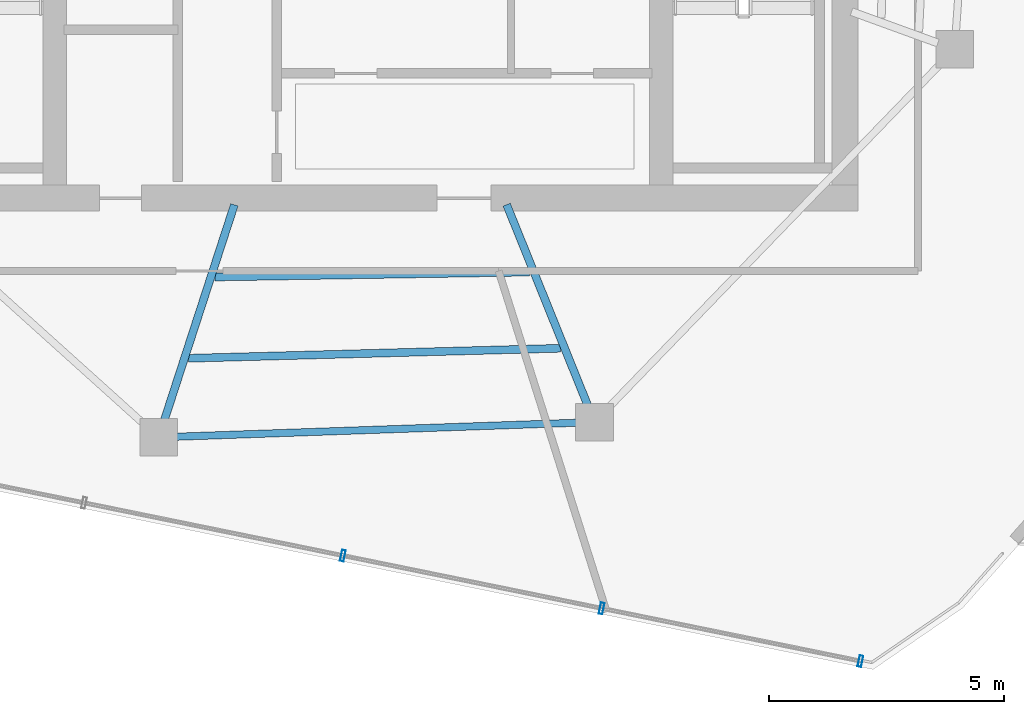
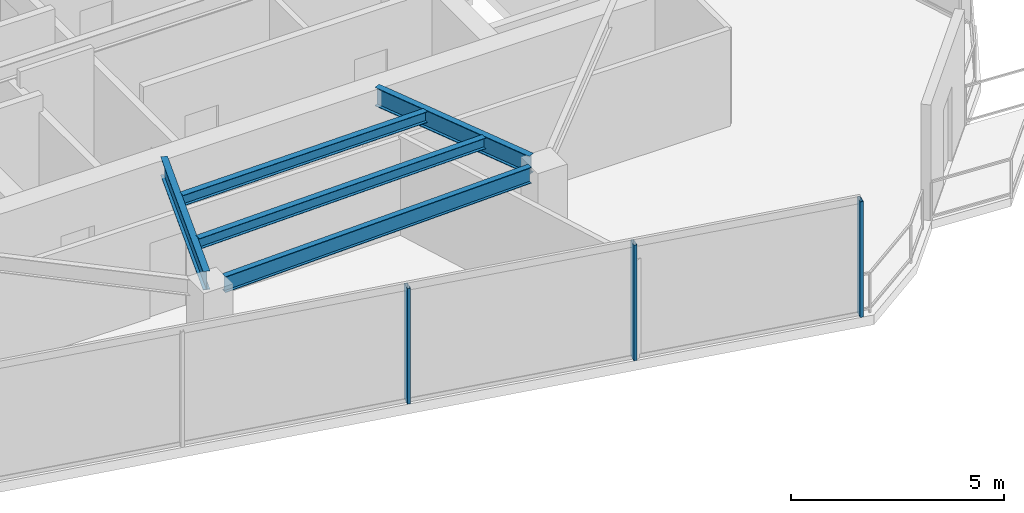
# One storey, part 4 of 18: 5 beams, 3 members, 1 element without a shape of its own.
"""IFC4 building model written with IfcOpenShell, lengths in metres."""

from ifc_helpers import new_model, si_unit, direction, frame, origin, origin_2d, place, context, subcontext, project, spatial, hollow_rectangle, i_section, extrude, material, layer, layer_set, material_profile, profile_set, type_object, element, aggregate, save


model = new_model("IFC4")

# Units and contexts
model_context = context("Model", 3, precision=1e-05, world=origin(), true_north=direction((0.0, 1.0)))
body_context = subcontext(model_context, "Body", "Model", "MODEL_VIEW")
ifc_project = project(units=[si_unit("LENGTHUNIT", "METRE"), si_unit("AREAUNIT", "SQUARE_METRE"), si_unit("VOLUMEUNIT", "CUBIC_METRE"), si_unit("PLANEANGLEUNIT", "RADIAN"), si_unit("MASSUNIT", "GRAM", prefix="KILO")], contexts=[model_context])

# Site, building, storey
site_placement = place(None, origin())
site = spatial("IfcSite", under=ifc_project, at=site_placement, CompositionType="ELEMENT")
building_placement = place(site_placement, origin())
building = spatial("IfcBuilding", under=site, at=building_placement, Name="Qarnah Convention Tower", CompositionType="ELEMENT")
storey_placement = place(building_placement, frame((0.0, 0.0, 249.89990234375)))
storey = spatial("IfcBuildingStorey", under=building, at=storey_placement, Name="L67", CompositionType="ELEMENT", Elevation=249.89990234375)

# Beams
ifc_material_1 = material(Name="Structural steel S355JR", Category="steel")
ifc_material_profile_1 = material_profile(ifc_material_1, i_section(OverallWidth=0.166015625, OverallDepth=0.31201171875, WebThickness=0.007080078125, FlangeThickness=0.010986328125, at=origin_2d()), Name="W310X45")
ifc_profile_set_1 = profile_set([ifc_material_profile_1], Name="Structural steel S355JR")
beam_type_1 = type_object("IfcBeamType", Name="BM-JST-W310", PredefinedType="JOIST", material=ifc_profile_set_1)
beam_1_placement = place(storey_placement, frame((33.64794921875, 15.194091796875, 3.1640625), z_axis=(0.999637377736, 0.026927922937, 0.0), x_axis=(-0.026927922937, 0.999637377736, 0.0)))
element("IfcBeam", 1, at=beam_1_placement, inside=storey, type_object=beam_type_1, Name="L67 joist BM-L67-SJST-07", PredefinedType="JOIST", context=body_context, shape_type="SweptSolid", body=[
    extrude(i_section(OverallWidth=0.166015625, OverallDepth=0.31201171875, WebThickness=0.007080078125, FlangeThickness=0.010986328125, at=origin_2d()), origin(), (0.0, 0.0, 1.0), 7.906005859375),
])
beam_2_placement = place(storey_placement, frame((34.2109375, 16.922119140625, 3.1640625), z_axis=(0.99987675497, 0.015699518171, 0.0), x_axis=(-0.015699518171, 0.99987675497, 0.0)))
element("IfcBeam", 2, at=beam_2_placement, inside=storey, type_object=beam_type_1, Name="L67 joist BM-L67-IJST-07", PredefinedType="JOIST", context=body_context, shape_type="SweptSolid", body=[
    extrude(i_section(OverallWidth=0.166015625, OverallDepth=0.31201171875, WebThickness=0.007080078125, FlangeThickness=0.010986328125, at=origin_2d()), origin(), (0.0, 0.0, 1.0), 6.686767578125),
])
ifc_material_profile_2 = material_profile(ifc_material_1, i_section(OverallWidth=0.166015625, OverallDepth=0.535888671875, WebThickness=0.010009765625, FlangeThickness=0.01708984375, at=origin_2d()), Name="W530X85")
ifc_profile_set_2 = profile_set([ifc_material_profile_2], Name="Structural steel S355JR")
beam_type_2 = type_object("IfcBeamType", Name="BM-RAD-W530B", PredefinedType="BEAM", material=ifc_profile_set_2)
beam_3_placement = place(storey_placement, frame((34.6201171875, 18.45703125, 3.052001953125), z_axis=(-0.309228111383, -0.950987894313, 0.0), x_axis=(0.950987894313, -0.309228111383, 0.0)))
element("IfcBeam", 3, at=beam_3_placement, inside=storey, type_object=beam_type_2, Name="L67 beam BM-L67-RAD-07", PredefinedType="BEAM", context=body_context, shape_type="SweptSolid", body=[
    extrude(i_section(OverallWidth=0.166015625, OverallDepth=0.535888671875, WebThickness=0.010009765625, FlangeThickness=0.01708984375, at=origin_2d()), origin(), (0.0, 0.0, 1.0), 4.819091796875),
])
beam_4_placement = place(storey_placement, frame((40.407958984375, 18.4609375, 3.052001953125), z_axis=(0.374622495532, -0.927177429536, 0.0), x_axis=(0.927177429536, 0.374622495532, 0.0)))
element("IfcBeam", 4, at=beam_4_placement, inside=storey, type_object=beam_type_2, Name="L67 beam BM-L67-RAD-08", PredefinedType="BEAM", context=body_context, shape_type="SweptSolid", body=[
    extrude(i_section(OverallWidth=0.166015625, OverallDepth=0.535888671875, WebThickness=0.010009765625, FlangeThickness=0.01708984375, at=origin_2d()), origin(), (0.0, 0.0, 1.0), 4.607421875),
])
ifc_material_profile_3 = material_profile(ifc_material_1, i_section(OverallWidth=0.154052734375, OverallDepth=0.4599609375, WebThickness=0.009033203125, FlangeThickness=0.014892578125, at=origin_2d()), Name="W460X68")
ifc_profile_set_3 = profile_set([ifc_material_profile_3], Name="Structural steel S355JR")
beam_type_3 = type_object("IfcBeamType", Name="BM-SPN-W460B", PredefinedType="SPANDREL", material=ifc_profile_set_3)
beam_5_placement = place(storey_placement, frame((33.403076171875, 13.527099609375, 3.090087890625), z_axis=(0.999392187652, 0.034860511467, 0.0), x_axis=(-0.034860511467, 0.999392187652, 0.0)))
element("IfcBeam", 5, at=beam_5_placement, inside=storey, type_object=beam_type_3, Name="L67 spandrel BM-L67-SPN-07", PredefinedType="SPANDREL", context=body_context, shape_type="SweptSolid", body=[
    extrude(i_section(OverallWidth=0.154052734375, OverallDepth=0.4599609375, WebThickness=0.009033203125, FlangeThickness=0.014892578125, at=origin_2d()), origin(), (0.0, 0.0, 1.0), 8.488037109375),
])

# Curtain wall, members
ifc_material_2 = material(Name="Tempered Low-E dark glass", Category="glass")
ifc_layer = layer(ifc_material_2, 0.176025390625)
ifc_layer_set = layer_set([ifc_layer], Name="Tempered Low-E dark glass")
curtain_wall_type = type_object("IfcCurtainWallType", Name="CWS-05", PredefinedType="NOTDEFINED", material=ifc_layer_set)
curtain_wall_placement = place(storey_placement, origin())
curtain_wall = element("IfcCurtainWall", 6, at=curtain_wall_placement, inside=storey, type_object=curtain_wall_type, Name="L67 unitised curtain wall CW-L67-F3", PredefinedType="NOTDEFINED")
ifc_material_3 = material(Name="Black anodised aluminium", Category="aluminium")
ifc_material_profile_4 = material_profile(ifc_material_3, hollow_rectangle(XDim=0.080078125, YDim=0.239990234375, WallThickness=0.0048828125, at=origin_2d()), Name="MUL-80X240")
ifc_profile_set_4 = profile_set([ifc_material_profile_4], Name="Black anodised aluminium")
member_type = type_object("IfcMemberType", Name="MUL-T5", PredefinedType="MULLION", material=ifc_profile_set_4)
member_1_placement = place(storey_placement, frame((47.929931640625, 8.7548828125, 0.0), z_axis=(0.0, 0.0, 1.0), x_axis=(-0.979847899311, 0.199745073068, 0.0)))
member_1 = element("IfcMember", 7, at=member_1_placement, type_object=member_type, Name="CW-L67-F3 mullion 1", PredefinedType="MULLION", context=body_context, shape_type="SweptSolid", body=[
    extrude(hollow_rectangle(XDim=0.080078125, YDim=0.239990234375, WallThickness=0.0048828125, at=origin_2d()), origin(), (0.0, 0.0, 1.0), 3.320068359375),
])
member_2_placement = place(storey_placement, frame((42.427978515625, 9.876708984375, 0.0), z_axis=(0.0, 0.0, 1.0), x_axis=(-0.979847899311, 0.199745073068, 0.0)))
member_2 = element("IfcMember", 8, at=member_2_placement, type_object=member_type, Name="CW-L67-F3 mullion 2", PredefinedType="MULLION", context=body_context, shape_type="SweptSolid", body=[
    extrude(hollow_rectangle(XDim=0.080078125, YDim=0.239990234375, WallThickness=0.0048828125, at=origin_2d()), origin(), (0.0, 0.0, 1.0), 3.320068359375),
])
member_3_placement = place(storey_placement, frame((36.926025390625, 10.998291015625, 0.0), z_axis=(0.0, 0.0, 1.0), x_axis=(-0.979847899311, 0.199745073068, 0.0)))
member_3 = element("IfcMember", 9, at=member_3_placement, type_object=member_type, Name="CW-L67-F3 mullion 3", PredefinedType="MULLION", context=body_context, shape_type="SweptSolid", body=[
    extrude(hollow_rectangle(XDim=0.080078125, YDim=0.239990234375, WallThickness=0.0048828125, at=origin_2d()), origin(), (0.0, 0.0, 1.0), 3.320068359375),
])
aggregate(curtain_wall, [member_1, member_2, member_3])

save(model, "model.ifc")
